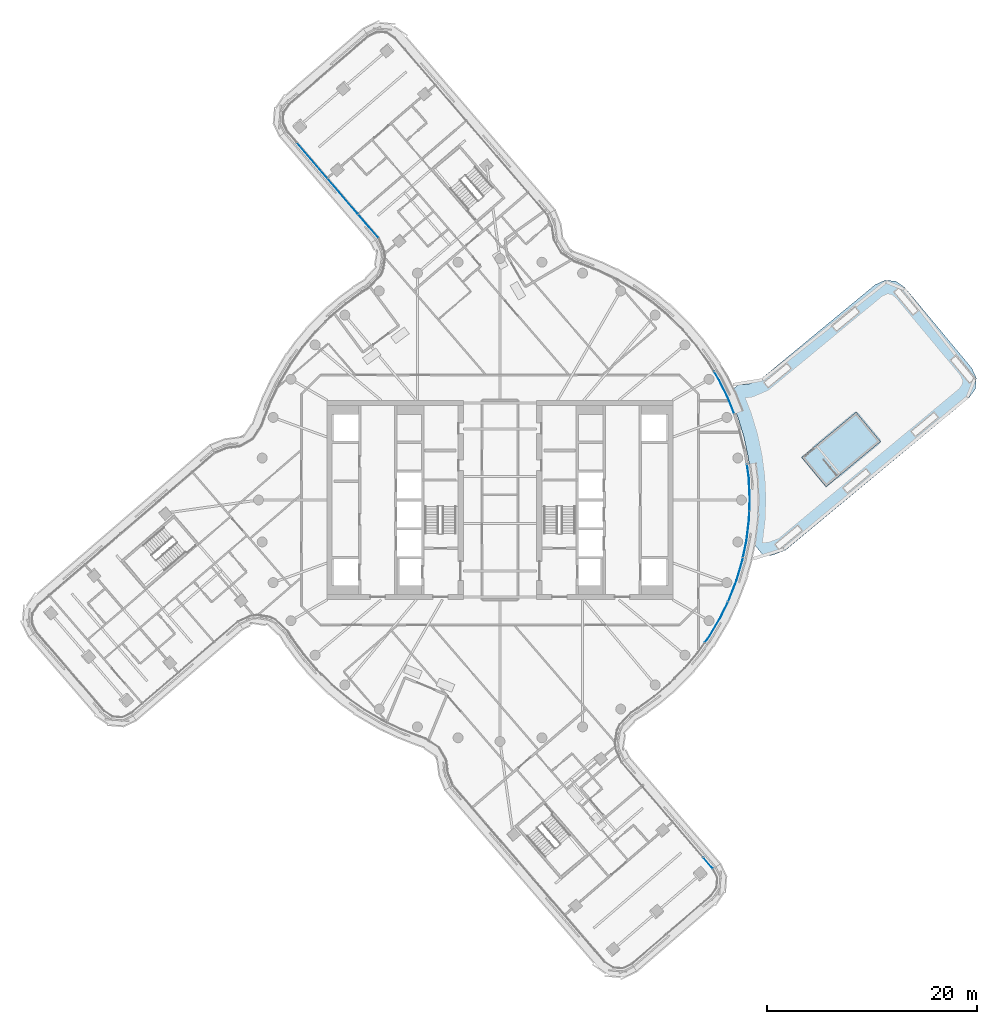
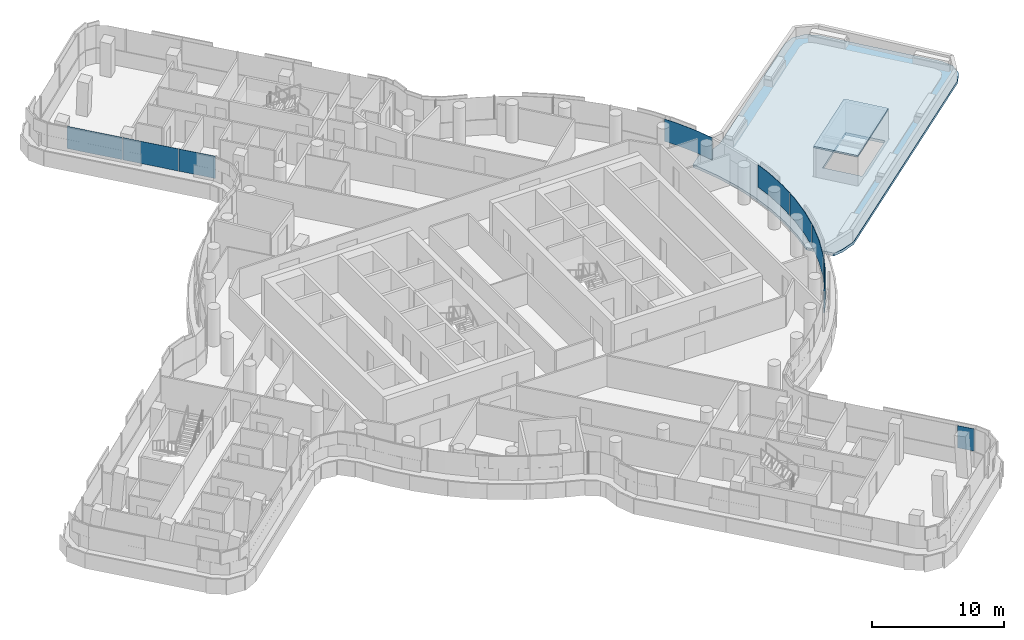
# One storey, part 19 of 34: 9 plates, 2 slabs, 3 elements without a shape of their own.
"""IFC4 building model written with IfcOpenShell, lengths in metres."""

from ifc_helpers import new_model, si_unit, direction, frame, origin, place, context, subcontext, project, spatial, polyline, outline, extrude, material, layer, layer_set, type_object, element, aggregate, save


model = new_model("IFC4")

# Units and contexts
model_context = context("Model", 3, precision=1e-05, world=origin(), true_north=direction((0.0, 1.0)))
body_context = subcontext(model_context, "Body", "Model", "MODEL_VIEW")
ifc_project = project(units=[si_unit("LENGTHUNIT", "METRE"), si_unit("AREAUNIT", "SQUARE_METRE"), si_unit("VOLUMEUNIT", "CUBIC_METRE"), si_unit("PLANEANGLEUNIT", "RADIAN"), si_unit("MASSUNIT", "GRAM", prefix="KILO")], contexts=[model_context])

# Site, building, storey
site_placement = place(None, origin())
site = spatial("IfcSite", under=ifc_project, at=site_placement, CompositionType="ELEMENT")
building_placement = place(site_placement, origin())
building = spatial("IfcBuilding", under=site, at=building_placement, Name="Tamarind Cross Interchange Tower", CompositionType="ELEMENT")
storey_placement = place(building_placement, frame((0.0, 0.0, 182.5)))
storey = spatial("IfcBuildingStorey", under=building, at=storey_placement, Name="L45", CompositionType="ELEMENT", Elevation=182.5)

# Slabs
ifc_material_1 = material(Name="Concrete C40", Category="concrete")
ifc_layer_1 = layer(ifc_material_1, 0.14990234375)
ifc_layer_set_1 = layer_set([ifc_layer_1], Name="Concrete C40")
slab_type_1 = type_object("IfcSlabType", Name="Head house roof slab 150 mm Concrete C40", PredefinedType="ROOF", material=ifc_layer_set_1)
slab_1_placement = place(storey_placement, frame((0.0, 0.0, 2.800048828125)))
element("IfcSlab", 1, at=slab_1_placement, inside=storey, type_object=slab_type_1, Name="L45 head house roof ST3", PredefinedType="ROOF", context=body_context, shape_type="SweptSolid", body=[
    extrude(outline(polyline([(31.0673828125, 1.289794921875), (36.22216796875, 5.569580078125), (33.922607421875, 8.33935546875), (28.767578125, 4.059326171875), (31.0673828125, 1.289794921875)])), origin(), (0.0, 0.0, 1.0), 0.14990234375),
])
ifc_layer_2 = layer(ifc_material_1, 0.25)
ifc_layer_set_2 = layer_set([ifc_layer_2], Name="Concrete C40")
slab_type_2 = type_object("IfcSlabType", Name="Roof composite slab 250 Concrete C40", PredefinedType="ROOF", material=ifc_layer_set_2)
slab_2_placement = place(storey_placement, frame((0.0, 0.0, -0.25)))
element("IfcSlab", 2, at=slab_2_placement, inside=storey, type_object=slab_type_2, Name="Garden roof slab arm E", PredefinedType="ROOF", context=body_context, shape_type="SweptSolid", body=[
    extrude(outline(polyline([(23.92236328125, -1.878662109375), (23.7119140625, -3.62744140625), (25.145751953125, -5.354248046875), (25.955322265625, -5.250732421875), (27.18896484375, -4.7900390625), (44.683349609375, 9.7353515625), (45.281494140625, 10.580322265625), (45.377197265625, 11.611083984375), (44.9443359375, 12.5517578125), (38.556396484375, 20.245361328125), (37.71142578125, 20.843505859375), (36.6806640625, 20.939208984375), (35.739990234375, 20.506591796875), (24.895263671875, 11.555419921875), (23.729248046875, 11.05517578125), (23.177490234375, 10.989990234375), (22.792724609375, 11.05615234375), (21.7197265625, 10.165283203125), (21.93310546875, 9.733642578125), (22.662109375, 7.88916015625), (23.236083984375, 5.99072265625), (23.6513671875, 4.051513671875), (23.9052734375, 2.08447265625), (23.995849609375, 0.103271484375), (23.92236328125, -1.878662109375)]), holes=[polyline([(32.102783203125, 2.409423828125), (30.058837890625, 4.871337890625), (33.896240234375, 8.0576171875), (35.9404296875, 5.595703125), (32.102783203125, 2.409423828125)])]), origin(), (0.0, 0.0, 1.0), 0.25),
])

# Curtain wall, plates
ifc_material_2 = material(Name="Aluminium 6063-T6", Category="aluminium")
ifc_layer_3 = layer(ifc_material_2, 0.139892578125)
ifc_layer_set_3 = layer_set([ifc_layer_3], Name="Aluminium 6063-T6")
curtain_wall_type_1 = type_object("IfcCurtainWallType", Name="Hotel curtain wall, 4.5 m bays", PredefinedType="NOTDEFINED", material=ifc_layer_set_3)
curtain_wall_1_placement = place(storey_placement, origin())
curtain_wall_1 = element("IfcCurtainWall", 3, at=curtain_wall_1_placement, inside=storey, type_object=curtain_wall_type_1, Name="CWS-L45-01", PredefinedType="NOTDEFINED")
ifc_material_3 = material(Name="Laminated low-e glass 6+1.52+6", Category="glass")
ifc_layer_4 = layer(ifc_material_3, 0.02392578125)
ifc_layer_set_4 = layer_set([ifc_layer_4], Name="Laminated low-e glass 6+1.52+6")
plate_type_1 = type_object("IfcPlateType", Name="Vision panel CW2", PredefinedType="CURTAIN_PANEL", material=ifc_layer_set_4)
plate_1_placement = place(storey_placement, frame((0.0, 0.0, 1.39990234375)))
plate_1 = element("IfcPlate", 4, at=plate_1_placement, type_object=plate_type_1, Name="CWP-L45-01-01", PredefinedType="CURTAIN_PANEL", context=body_context, shape_type="SweptSolid", body=[
    extrude(outline(polyline([(-19.338134765625, 34.038818359375), (-16.449951171875, 30.665283203125), (-16.46826171875, 30.649658203125), (-19.3564453125, 34.023193359375), (-19.338134765625, 34.038818359375)])), origin(), (0.0, 0.0, 1.0), 2.06005859375),
])
plate_2_placement = place(storey_placement, frame((0.0, 0.0, 1.39990234375)))
plate_2 = element("IfcPlate", 5, at=plate_2_placement, type_object=plate_type_1, Name="CWP-L45-01-02", PredefinedType="CURTAIN_PANEL", context=body_context, shape_type="SweptSolid", body=[
    extrude(outline(polyline([(-16.410888671875, 30.61962890625), (-13.522705078125, 27.24609375), (-13.541015625, 27.230712890625), (-16.42919921875, 30.60400390625), (-16.410888671875, 30.61962890625)])), origin(), (0.0, 0.0, 1.0), 2.06005859375),
])
plate_3_placement = place(storey_placement, frame((0.0, 0.0, 1.39990234375)))
plate_3 = element("IfcPlate", 6, at=plate_3_placement, type_object=plate_type_1, Name="CWP-L45-01-03", PredefinedType="CURTAIN_PANEL", context=body_context, shape_type="SweptSolid", body=[
    extrude(outline(polyline([(-13.483642578125, 27.20068359375), (-11.584228515625, 24.98193359375), (-11.6025390625, 24.96630859375), (-13.501953125, 27.18505859375), (-13.483642578125, 27.20068359375)])), origin(), (0.0, 0.0, 1.0), 2.06005859375),
])
aggregate(curtain_wall_1, [plate_1, plate_2, plate_3])

# Curtain wall, plate
curtain_wall_2_placement = place(storey_placement, origin())
curtain_wall_2 = element("IfcCurtainWall", 7, at=curtain_wall_2_placement, inside=storey, type_object=curtain_wall_type_1, Name="CWS-L45-09", PredefinedType="NOTDEFINED")
plate_4_placement = place(storey_placement, frame((0.0, 0.0, 1.39990234375)))
plate_4 = element("IfcPlate", 8, at=plate_4_placement, type_object=plate_type_1, Name="CWP-L45-09-00", PredefinedType="CURTAIN_PANEL", context=body_context, shape_type="SweptSolid", body=[
    extrude(outline(polyline([(20.259033203125, -35.1142578125), (19.377197265625, -34.08447265625), (19.3955078125, -34.06884765625), (20.27734375, -35.0986328125), (20.259033203125, -35.1142578125)])), origin(), (0.0, 0.0, 1.0), 2.06005859375),
])
aggregate(curtain_wall_2, [plate_4])

# Curtain wall, plates
ifc_layer_5 = layer(ifc_material_2, 0.14990234375)
ifc_layer_set_5 = layer_set([ifc_layer_5], Name="Aluminium 6063-T6")
curtain_wall_type_2 = type_object("IfcCurtainWallType", Name="Winter garden and crown curtain wall", PredefinedType="NOTDEFINED", material=ifc_layer_set_5)
curtain_wall_3_placement = place(storey_placement, origin())
curtain_wall_3 = element("IfcCurtainWall", 9, at=curtain_wall_3_placement, inside=storey, type_object=curtain_wall_type_2, Name="CWS-L45-10", PredefinedType="NOTDEFINED")
ifc_material_4 = material(Name="Laminated low-e glass 8+1.52+8", Category="glass")
ifc_layer_6 = layer(ifc_material_4, 0.030029296875)
ifc_layer_set_6 = layer_set([ifc_layer_6], Name="Laminated low-e glass 8+1.52+8")
plate_type_2 = type_object("IfcPlateType", Name="Vision panel CW6", PredefinedType="CURTAIN_PANEL", material=ifc_layer_set_6)
plate_5_placement = place(storey_placement, frame((0.0, 0.0, 1.39990234375)))
plate_5 = element("IfcPlate", 10, at=plate_5_placement, type_object=plate_type_2, Name="CWP-L45-10-03", PredefinedType="CURTAIN_PANEL", context=body_context, shape_type="SweptSolid", body=[
    extrude(outline(polyline([(19.520751953125, -13.5478515625), (19.96435546875, -12.921142578125), (20.963134765625, -11.228271484375), (21.690673828125, -9.7236328125), (21.7177734375, -9.736572265625), (20.989501953125, -11.242431640625), (19.989501953125, -12.937255859375), (19.545166015625, -13.565185546875), (19.520751953125, -13.5478515625)])), origin(), (0.0, 0.0, 1.0), 2.06005859375),
])
plate_6_placement = place(storey_placement, frame((0.0, 0.0, 1.39990234375)))
plate_6 = element("IfcPlate", 11, at=plate_6_placement, type_object=plate_type_2, Name="CWP-L45-10-04", PredefinedType="CURTAIN_PANEL", context=body_context, shape_type="SweptSolid", body=[
    extrude(outline(polyline([(21.716796875, -9.669677734375), (21.818603515625, -9.458740234375), (22.525390625, -7.624755859375), (23.077880859375, -5.738525390625), (23.125732421875, -5.505615234375), (23.1552734375, -5.51171875), (23.107177734375, -5.745849609375), (22.5537109375, -7.63427734375), (21.84619140625, -9.470703125), (21.743896484375, -9.6826171875), (21.716796875, -9.669677734375)])), origin(), (0.0, 0.0, 1.0), 2.06005859375),
])
plate_7_placement = place(storey_placement, frame((0.0, 0.0, 1.39990234375)))
plate_7 = element("IfcPlate", 12, at=plate_7_placement, type_object=plate_type_2, Name="CWP-L45-10-05", PredefinedType="CURTAIN_PANEL", context=body_context, shape_type="SweptSolid", body=[
    extrude(outline(polyline([(23.137939453125, -5.447021484375), (23.47314453125, -3.813232421875), (23.707763671875, -1.86181640625), (23.736328125, -1.0908203125), (23.766357421875, -1.092041015625), (23.73779296875, -1.8642578125), (23.502685546875, -3.818115234375), (23.167236328125, -5.452880859375), (23.137939453125, -5.447021484375)])), origin(), (0.0, 0.0, 1.0), 2.06005859375),
])
plate_8_placement = place(storey_placement, frame((0.0, 0.0, 1.39990234375)))
plate_8 = element("IfcPlate", 13, at=plate_8_placement, type_object=plate_type_2, Name="CWP-L45-10-06", PredefinedType="CURTAIN_PANEL", context=body_context, shape_type="SweptSolid", body=[
    extrude(outline(polyline([(23.738525390625, -1.031005859375), (23.780517578125, 0.102294921875), (23.69091796875, 2.065673828125), (23.52392578125, 3.360107421875), (23.5537109375, 3.364013671875), (23.720703125, 2.068359375), (23.810546875, 0.1025390625), (23.7685546875, -1.031982421875), (23.738525390625, -1.031005859375)])), origin(), (0.0, 0.0, 1.0), 2.06005859375),
])
plate_9_placement = place(storey_placement, frame((0.0, 0.0, 1.39990234375)))
plate_9 = element("IfcPlate", 14, at=plate_9_placement, type_object=plate_type_2, Name="CWP-L45-10-08", PredefinedType="CURTAIN_PANEL", context=body_context, shape_type="SweptSolid", body=[
    extrude(outline(polyline([(22.2978515625, 8.225830078125), (21.736572265625, 9.646240234375), (20.86572265625, 11.408203125), (20.3955078125, 12.189697265625), (20.421142578125, 12.205078125), (20.89208984375, 11.422607421875), (21.763916015625, 9.658447265625), (22.32568359375, 8.237060546875), (22.2978515625, 8.225830078125)])), origin(), (0.0, 0.0, 1.0), 2.06005859375),
])
aggregate(curtain_wall_3, [plate_5, plate_6, plate_7, plate_8, plate_9])

save(model, "model.ifc")
